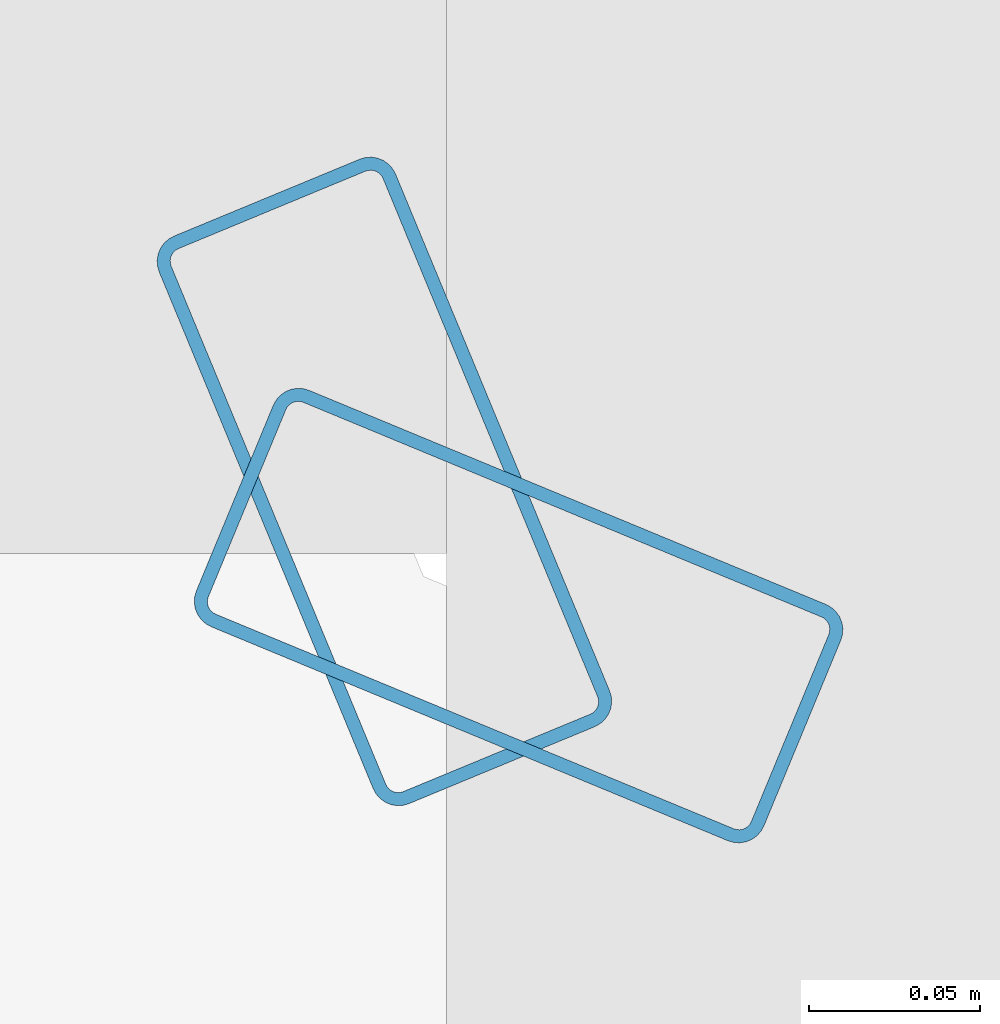
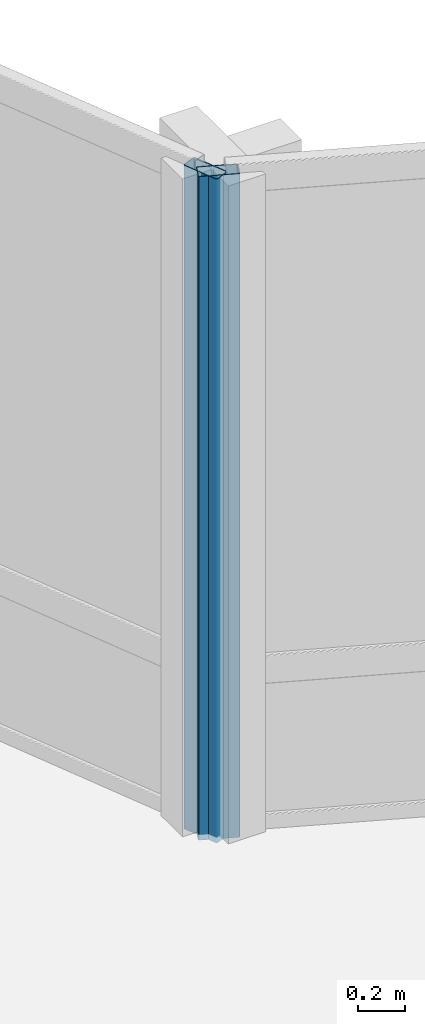
# One storey, part 8 of 28: 2 members, 2 elements without a shape of their own.
"""IFC4 building model written with IfcOpenShell, lengths in metres."""

from ifc_helpers import new_model, si_unit, direction, frame, origin, origin_2d, place, context, subcontext, project, spatial, hollow_rectangle, extrude, material, layer, layer_set, material_profile, profile_set, type_object, element, aggregate, save


model = new_model("IFC4")

# Units and contexts
model_context = context("Model", 3, precision=1e-05, world=origin(), true_north=direction((0.0, 1.0)))
body_context = subcontext(model_context, "Body", "Model", "MODEL_VIEW")
ifc_project = project(units=[si_unit("LENGTHUNIT", "METRE"), si_unit("AREAUNIT", "SQUARE_METRE"), si_unit("VOLUMEUNIT", "CUBIC_METRE"), si_unit("PLANEANGLEUNIT", "RADIAN"), si_unit("MASSUNIT", "GRAM", prefix="KILO")], contexts=[model_context])

# Site, building, storey
site_placement = place(None, origin())
site = spatial("IfcSite", under=ifc_project, at=site_placement, CompositionType="ELEMENT")
building_placement = place(site_placement, origin())
building = spatial("IfcBuilding", under=site, at=building_placement, Name="Solvaryn Broadcast Tower", CompositionType="ELEMENT")
storey_placement = place(building_placement, frame((0.0, 0.0, 206.199951171875)))
storey = spatial("IfcBuildingStorey", under=building, at=storey_placement, Name="L51", CompositionType="ELEMENT", Elevation=206.199951171875)

# Curtain wall, member
ifc_material_1 = material(Name="Aluminium and Terracotta Unitised Curtain Wall", Category="masonry")
ifc_layer = layer(ifc_material_1, 0.199951171875)
ifc_layer_set = layer_set([ifc_layer], Name="CW-SYS2-LOWMID")
curtain_wall_type = type_object("IfcCurtainWallType", Name="CW-SYS2-LOWMID", PredefinedType="NOTDEFINED", material=ifc_layer_set)
curtain_wall_1_placement = place(storey_placement, origin())
curtain_wall_1 = element("IfcCurtainWall", 1, at=curtain_wall_1_placement, inside=storey, type_object=curtain_wall_type, Name="L51 Curtain Wall CN1", PredefinedType="NOTDEFINED")
ifc_material_2 = material(Name="Anodised Aluminium 6063-T6", Category="aluminium")
ifc_material_profile = material_profile(ifc_material_2, hollow_rectangle(XDim=0.074951171875, YDim=0.179931640625, WallThickness=0.00390625, InnerFilletRadius=0.00390625, OuterFilletRadius=0.008056640625, at=origin_2d()))
ifc_profile_set = profile_set([ifc_material_profile], Name="Anodised Aluminium 6063-T6")
member_type = type_object("IfcMemberType", Name="CW-MUL-180", PredefinedType="MULLION", material=ifc_profile_set)
member_1_placement = place(storey_placement, frame((30.395751953125, 30.3564453125, 0.0), z_axis=(0.0, 0.0, 1.0), x_axis=(-0.382646127145, -0.923894983957, 0.0)))
member_1 = element("IfcMember", 2, at=member_1_placement, type_object=member_type, Name="CWS2 mullion 2", PredefinedType="MULLION", context=body_context, shape_type="SweptSolid", body=[
    extrude(hollow_rectangle(XDim=0.074951171875, YDim=0.179931640625, WallThickness=0.00390625, InnerFilletRadius=0.00390625, OuterFilletRadius=0.008056640625, at=origin_2d()), origin(), (0.0, 0.0, 1.0), 3.420166015625),
])
aggregate(curtain_wall_1, [member_1])

curtain_wall_2_placement = place(storey_placement, origin())
curtain_wall_2 = element("IfcCurtainWall", 3, at=curtain_wall_2_placement, inside=storey, type_object=curtain_wall_type, Name="L51 Curtain Wall CN2", PredefinedType="NOTDEFINED")
member_2_placement = place(storey_placement, frame((30.3564453125, 30.395751953125, 0.0), z_axis=(0.0, 0.0, 1.0), x_axis=(-0.923894983957, -0.382646127145, 0.0)))
member_2 = element("IfcMember", 4, at=member_2_placement, type_object=member_type, Name="CWS2 mullion 1", PredefinedType="MULLION", context=body_context, shape_type="SweptSolid", body=[
    extrude(hollow_rectangle(XDim=0.074951171875, YDim=0.179931640625, WallThickness=0.00390625, InnerFilletRadius=0.00390625, OuterFilletRadius=0.008056640625, at=origin_2d()), origin(), (0.0, 0.0, 1.0), 3.420166015625),
])
aggregate(curtain_wall_2, [member_2])

save(model, "model.ifc")
